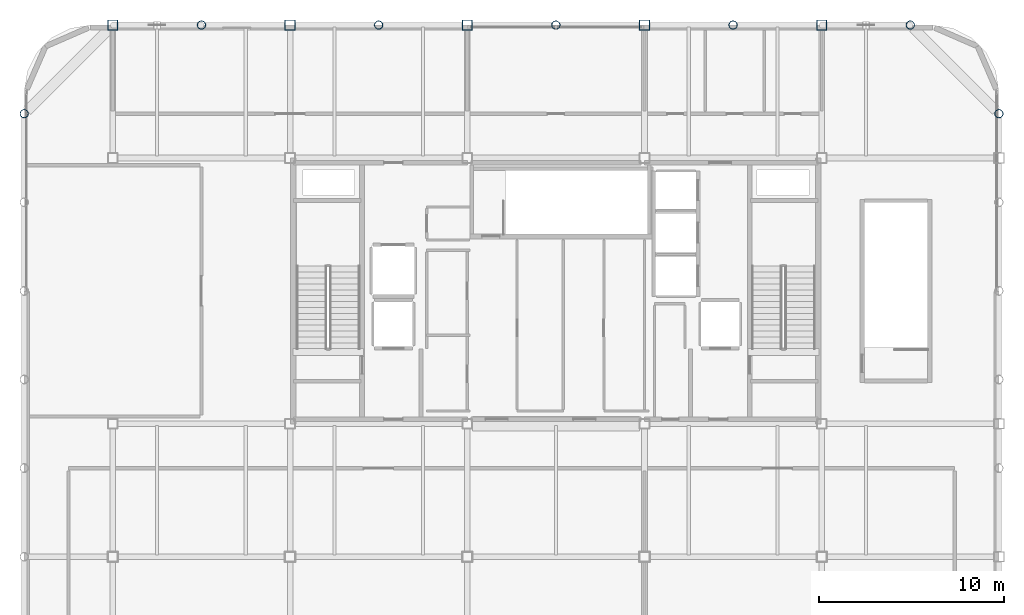
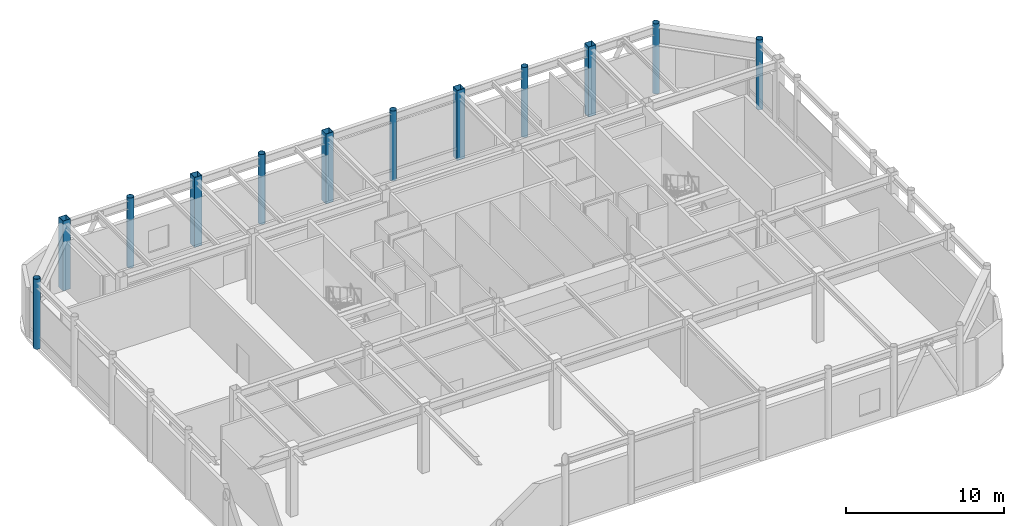
# One storey, part 3 of 21: 12 columns.
"""IFC4 building model written with IfcOpenShell, lengths in metres."""

from ifc_helpers import new_model, si_unit, direction, frame, origin, origin_2d, place, context, subcontext, project, spatial, hollow_rectangle, hollow_circle, extrude, material, material_profile, profile_set, type_object, element, save


model = new_model("IFC4")

# Units and contexts
model_context = context("Model", 3, precision=1e-05, world=origin(), true_north=direction((0.0, 1.0)))
body_context = subcontext(model_context, "Body", "Model", "MODEL_VIEW")
ifc_project = project(units=[si_unit("LENGTHUNIT", "METRE"), si_unit("AREAUNIT", "SQUARE_METRE"), si_unit("VOLUMEUNIT", "CUBIC_METRE"), si_unit("PLANEANGLEUNIT", "RADIAN"), si_unit("MASSUNIT", "GRAM", prefix="KILO")], contexts=[model_context])

# Site, building, storey
site_placement = place(None, origin())
site = spatial("IfcSite", under=ifc_project, at=site_placement, CompositionType="ELEMENT")
building_placement = place(site_placement, origin())
building = spatial("IfcBuilding", under=site, at=building_placement, Name="Kallvorn Hotel Tower", CompositionType="ELEMENT")
storey_placement = place(building_placement, frame((0.0, 0.0, 300.60009765625)))
storey = spatial("IfcBuildingStorey", under=building, at=storey_placement, Name="L74", CompositionType="ELEMENT", Elevation=300.60009765625)

# Columns
ifc_material_1 = material(Name="Structural steel S355J2H", Category="steel")
ifc_material_profile_1 = material_profile(ifc_material_1, hollow_circle(Radius=0.228515625, WallThickness=0.02001953125, at=origin_2d()), Name="CHS 457x20")
ifc_profile_set_1 = profile_set([ifc_material_profile_1], Name="Structural steel S355J2H")
column_type_1 = type_object("IfcColumnType", Name="COL_CHS_457", PredefinedType="COLUMN", material=ifc_profile_set_1)
for number, where, z_axis, x_axis, name in (
    (1, (-28.800048828125, 9.60009765625, 0.0), (0.0, 0.0, 1.0), (1.0, 0.0, 0.0), "L74 Exoskeleton Column EC07"),
    (2, (-19.199951171875, 14.39990234375, 0.0), (0.0, 0.0, 1.0), (1.0, 0.0, 0.0), "L74 Exoskeleton Column EC10"),
    (3, (-9.60009765625, 14.39990234375, 0.0), (0.0, 0.0, 1.0), (1.0, 0.0, 0.0), "L74 Exoskeleton Column EC13"),
    (4, (0.0, 14.39990234375, 0.0), (0.0, 0.0, 1.0), (1.0, 0.0, 0.0), "L74 Exoskeleton Column EC16"),
    (5, (9.60009765625, 14.39990234375, 0.0), (0.0, 0.0, 1.0), (1.0, 0.0, 0.0), "L74 Exoskeleton Column EC19"),
    (6, (19.199951171875, 14.39990234375, 0.0), (0.0, 0.0, 1.0), (1.0, 0.0, 0.0), "L74 Exoskeleton Column EC22"),
    (7, (24.0, 9.60009765625, 0.0), (0.0, 0.0, 1.0), (1.0, 0.0, 0.0), "L74 Exoskeleton Column EC28"),
):
    element("IfcColumn", number, at=place(storey_placement, frame(where, z_axis=z_axis, x_axis=x_axis)), inside=storey, type_object=column_type_1, Name=name, PredefinedType="COLUMN", context=body_context, shape_type="SweptSolid", body=[
        extrude(hollow_circle(Radius=0.228515625, WallThickness=0.02001953125, at=origin_2d()), origin(), (0.0, 0.0, 1.0), 5.39990234375),
    ])
ifc_material_2 = material(Name="Structural steel S355J2H", Category="steel")
ifc_material_profile_2 = material_profile(ifc_material_2, hollow_rectangle(XDim=0.550048828125, YDim=0.550048828125, WallThickness=0.02490234375, at=origin_2d()), Name="RHS 550x550x25")
ifc_profile_set_2 = profile_set([ifc_material_profile_2], Name="Structural steel S355J2H")
column_type_2 = type_object("IfcColumnType", Name="COL_RHS_550", PredefinedType="COLUMN", material=ifc_profile_set_2)
for number, where, z_axis, x_axis, name in (
    (8, (-24.0, 14.39990234375, 0.0), (0.0, 0.0, 1.0), (1.0, 0.0, 0.0), "L74 Inner Column IC04"),
    (9, (-14.39990234375, 14.39990234375, 0.0), (0.0, 0.0, 1.0), (1.0, 0.0, 0.0), "L74 Inner Column IC08"),
    (10, (-4.800048828125, 14.39990234375, 0.0), (0.0, 0.0, 1.0), (1.0, 0.0, 0.0), "L74 Inner Column IC12"),
    (11, (4.800048828125, 14.39990234375, 0.0), (0.0, 0.0, 1.0), (1.0, 0.0, 0.0), "L74 Inner Column IC16"),
    (12, (14.39990234375, 14.39990234375, 0.0), (0.0, 0.0, 1.0), (1.0, 0.0, 0.0), "L74 Inner Column IC20"),
):
    element("IfcColumn", number, at=place(storey_placement, frame(where, z_axis=z_axis, x_axis=x_axis)), inside=storey, type_object=column_type_2, Name=name, PredefinedType="COLUMN", context=body_context, shape_type="SweptSolid", body=[
        extrude(hollow_rectangle(XDim=0.550048828125, YDim=0.550048828125, WallThickness=0.02490234375, at=origin_2d()), origin(), (0.0, 0.0, 1.0), 5.39990234375),
    ])

save(model, "model.ifc")
